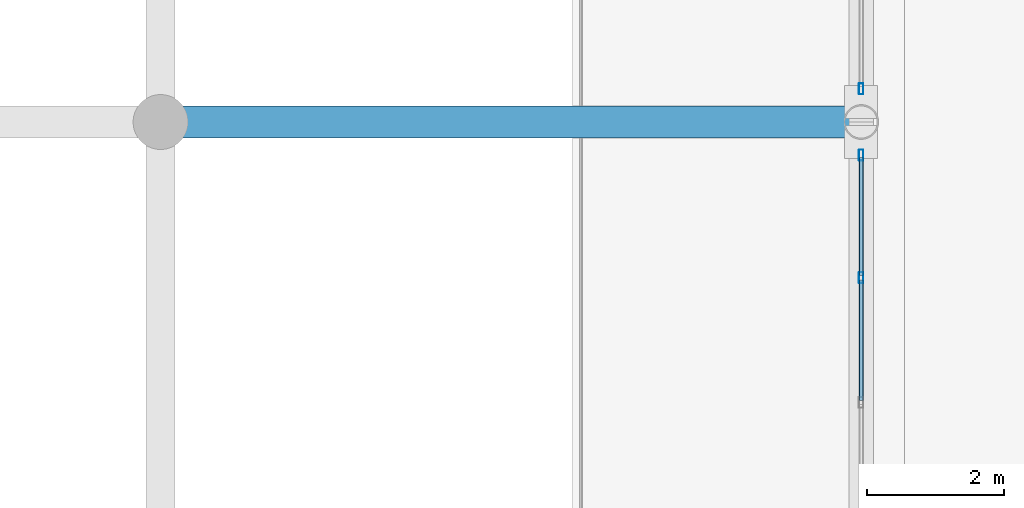
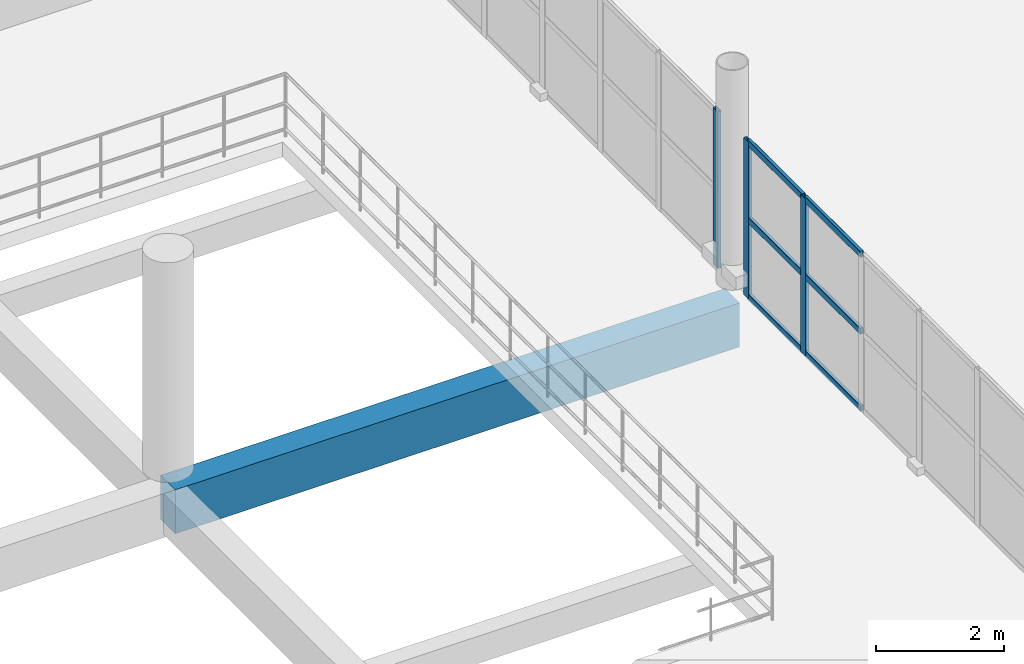
# One storey, part 62 of 157: 9 members, 1 beam, 2 elements without a shape of their own.
"""IFC4 building model written with IfcOpenShell, lengths in metres."""

from ifc_helpers import new_model, si_unit, direction, frame, origin, origin_2d, place, context, subcontext, project, spatial, rectangle, hollow_rectangle, extrude, material, material_profile, profile_set, type_object, element, aggregate, save


model = new_model("IFC4")

# Units and contexts
model_context = context("Model", 3, precision=1e-05, world=origin(), true_north=direction((0.0, 1.0)))
body_context = subcontext(model_context, "Body", "Model", "MODEL_VIEW")
ifc_project = project(units=[si_unit("LENGTHUNIT", "METRE"), si_unit("AREAUNIT", "SQUARE_METRE"), si_unit("VOLUMEUNIT", "CUBIC_METRE"), si_unit("PLANEANGLEUNIT", "RADIAN"), si_unit("MASSUNIT", "GRAM", prefix="KILO")], contexts=[model_context])

# Site, building, storey
site_placement = place(None, origin())
site = spatial("IfcSite", under=ifc_project, at=site_placement, CompositionType="ELEMENT")
building_placement = place(site_placement, origin())
building = spatial("IfcBuilding", under=site, at=building_placement, Name="Brelvane Convention Centre", CompositionType="ELEMENT")
storey_placement = place(building_placement, frame((0.0, 0.0, 10.800048828125)))
storey = spatial("IfcBuildingStorey", under=building, at=storey_placement, Name="L02", CompositionType="ELEMENT", Elevation=10.800048828125)

# Curtain wall, members
ifc_material_1 = material(Name="Anodised Aluminium Alloy 6063-T6", Category="aluminium")
curtain_wall_type = type_object("IfcCurtainWallType", Name="Curtain Wall CW-CONC", PredefinedType="USERDEFINED", material=ifc_material_1)
curtain_wall_1_placement = place(storey_placement, origin())
curtain_wall_1 = element("IfcCurtainWall", 1, at=curtain_wall_1_placement, inside=storey, type_object=curtain_wall_type, Name="Curtain Wall CW-CONC L02-GAL-ATRIUM-E-2", ObjectType="UNITISED", PredefinedType="USERDEFINED")
ifc_material_2 = material(Name="Anodised Aluminium Alloy 6063-T6", Category="aluminium")
ifc_material_profile_1 = material_profile(ifc_material_2, hollow_rectangle(XDim=0.06494140625, YDim=0.159912109375, WallThickness=0.00390625, InnerFilletRadius=0.00390625, OuterFilletRadius=0.008056640625, at=origin_2d()), Name="ALU-M 160x65x4.0")
ifc_profile_set_1 = profile_set([ifc_material_profile_1], Name="Anodised Aluminium Alloy 6063-T6")
member_type_1 = type_object("IfcMemberType", Name="Curtain Mullion CW-M3", PredefinedType="MULLION", material=ifc_profile_set_1)
member_1_placement = place(storey_placement, frame((163.199951171875, 61.933349609375, 0.0), z_axis=(0.0, 0.0, 1.0), x_axis=(-1.0, 0.0, 0.0)))
member_1 = element("IfcMember", 2, at=member_1_placement, type_object=member_type_1, Name="CW-CONC mullion 6", PredefinedType="MULLION", context=body_context, shape_type="SweptSolid", body=[
    extrude(hollow_rectangle(XDim=0.06494140625, YDim=0.159912109375, WallThickness=0.00390625, InnerFilletRadius=0.00390625, OuterFilletRadius=0.008056640625, at=origin_2d()), origin(), (0.0, 0.0, 1.0), 3.0),
])
member_2_placement = place(storey_placement, frame((163.199951171875, 63.717529296875, 0.0), z_axis=(0.0, 0.0, 1.0), x_axis=(-1.0, 0.0, 0.0)))
member_2 = element("IfcMember", 3, at=member_2_placement, type_object=member_type_1, Name="CW-CONC mullion 7", PredefinedType="MULLION", context=body_context, shape_type="SweptSolid", body=[
    extrude(hollow_rectangle(XDim=0.06494140625, YDim=0.159912109375, WallThickness=0.00390625, InnerFilletRadius=0.00390625, OuterFilletRadius=0.008056640625, at=origin_2d()), origin(), (0.0, 0.0, 1.0), 3.0),
])

# Curtain wall, member
curtain_wall_2_placement = place(storey_placement, origin())
curtain_wall_2 = element("IfcCurtainWall", 4, at=curtain_wall_2_placement, inside=storey, type_object=curtain_wall_type, Name="Curtain Wall CW-CONC L02-GAL-ATRIUM-E-3", ObjectType="UNITISED", PredefinedType="USERDEFINED")
member_3_placement = place(storey_placement, frame((163.199951171875, 64.6826171875, 0.0), z_axis=(0.0, 0.0, 1.0), x_axis=(-1.0, 0.0, 0.0)))
member_3 = element("IfcMember", 5, at=member_3_placement, type_object=member_type_1, Name="CW-CONC mullion 1", PredefinedType="MULLION", context=body_context, shape_type="SweptSolid", body=[
    extrude(hollow_rectangle(XDim=0.06494140625, YDim=0.159912109375, WallThickness=0.00390625, InnerFilletRadius=0.00390625, OuterFilletRadius=0.008056640625, at=origin_2d()), origin(), (0.0, 0.0, 1.0), 3.0),
])
aggregate(curtain_wall_2, [member_3])

# Member
ifc_material_3 = material(Name="Anodised Aluminium Alloy 6063-T6", Category="aluminium")
ifc_material_profile_2 = material_profile(ifc_material_3, hollow_rectangle(XDim=0.06005859375, YDim=0.1201171875, WallThickness=0.00390625, InnerFilletRadius=0.00390625, OuterFilletRadius=0.008056640625, at=origin_2d()), Name="ALU-T 120x60x4.0")
ifc_profile_set_2 = profile_set([ifc_material_profile_2], Name="Anodised Aluminium Alloy 6063-T6")
member_type_2 = type_object("IfcMemberType", Name="Curtain Transom CW-T3", PredefinedType="USERDEFINED", material=ifc_profile_set_2)
member_4_placement = place(storey_placement, frame((163.199951171875, 60.149169921875, 0.030029296875), z_axis=(0.0, 1.0, 0.0), x_axis=(-1.0, 0.0, 0.0)))
member_4 = element("IfcMember", 6, at=member_4_placement, type_object=member_type_2, Name="CW-CONC transom 5.1", ObjectType="TRANSOM", PredefinedType="USERDEFINED", context=body_context, shape_type="SweptSolid", body=[
    extrude(hollow_rectangle(XDim=0.06005859375, YDim=0.1201171875, WallThickness=0.00390625, InnerFilletRadius=0.00390625, OuterFilletRadius=0.008056640625, at=origin_2d()), origin(), (0.0, 0.0, 1.0), 1.751708984375),
])

member_5_placement = place(storey_placement, frame((163.199951171875, 60.149169921875, 1.5), z_axis=(0.0, 1.0, 0.0), x_axis=(-1.0, 0.0, 0.0)))
member_5 = element("IfcMember", 7, at=member_5_placement, type_object=member_type_2, Name="CW-CONC transom 5.2", ObjectType="TRANSOM", PredefinedType="USERDEFINED", context=body_context, shape_type="SweptSolid", body=[
    extrude(hollow_rectangle(XDim=0.06005859375, YDim=0.1201171875, WallThickness=0.00390625, InnerFilletRadius=0.00390625, OuterFilletRadius=0.008056640625, at=origin_2d()), origin(), (0.0, 0.0, 1.0), 1.751708984375),
])

member_6_placement = place(storey_placement, frame((163.199951171875, 60.149169921875, 2.969970703125), z_axis=(0.0, 1.0, 0.0), x_axis=(-1.0, 0.0, 0.0)))
member_6 = element("IfcMember", 8, at=member_6_placement, type_object=member_type_2, Name="CW-CONC transom 5.3", ObjectType="TRANSOM", PredefinedType="USERDEFINED", context=body_context, shape_type="SweptSolid", body=[
    extrude(hollow_rectangle(XDim=0.06005859375, YDim=0.1201171875, WallThickness=0.00390625, InnerFilletRadius=0.00390625, OuterFilletRadius=0.008056640625, at=origin_2d()), origin(), (0.0, 0.0, 1.0), 1.751708984375),
])

member_7_placement = place(storey_placement, frame((163.199951171875, 61.9658203125, 0.030029296875), z_axis=(0.0, 1.0, 0.0), x_axis=(-1.0, 0.0, 0.0)))
member_7 = element("IfcMember", 9, at=member_7_placement, type_object=member_type_2, Name="CW-CONC transom 6.1", ObjectType="TRANSOM", PredefinedType="USERDEFINED", context=body_context, shape_type="SweptSolid", body=[
    extrude(hollow_rectangle(XDim=0.06005859375, YDim=0.1201171875, WallThickness=0.00390625, InnerFilletRadius=0.00390625, OuterFilletRadius=0.008056640625, at=origin_2d()), origin(), (0.0, 0.0, 1.0), 1.71923828125),
])

member_8_placement = place(storey_placement, frame((163.199951171875, 61.9658203125, 1.5), z_axis=(0.0, 1.0, 0.0), x_axis=(-1.0, 0.0, 0.0)))
member_8 = element("IfcMember", 10, at=member_8_placement, type_object=member_type_2, Name="CW-CONC transom 6.2", ObjectType="TRANSOM", PredefinedType="USERDEFINED", context=body_context, shape_type="SweptSolid", body=[
    extrude(hollow_rectangle(XDim=0.06005859375, YDim=0.1201171875, WallThickness=0.00390625, InnerFilletRadius=0.00390625, OuterFilletRadius=0.008056640625, at=origin_2d()), origin(), (0.0, 0.0, 1.0), 1.71923828125),
])

member_9_placement = place(storey_placement, frame((163.199951171875, 61.9658203125, 2.969970703125), z_axis=(0.0, 1.0, 0.0), x_axis=(-1.0, 0.0, 0.0)))
member_9 = element("IfcMember", 11, at=member_9_placement, type_object=member_type_2, Name="CW-CONC transom 6.3", ObjectType="TRANSOM", PredefinedType="USERDEFINED", context=body_context, shape_type="SweptSolid", body=[
    extrude(hollow_rectangle(XDim=0.06005859375, YDim=0.1201171875, WallThickness=0.00390625, InnerFilletRadius=0.00390625, OuterFilletRadius=0.008056640625, at=origin_2d()), origin(), (0.0, 0.0, 1.0), 1.71923828125),
])

aggregate(curtain_wall_1, [member_1, member_2, member_4, member_5, member_6, member_7, member_8, member_9])

# Beam
ifc_material_4 = material(Name="Concrete M40", Category="concrete")
ifc_material_profile_3 = material_profile(ifc_material_4, rectangle(XDim=0.4599609375, YDim=0.840087890625, at=origin_2d()), Name="RC 460x840")
ifc_profile_set_3 = profile_set([ifc_material_profile_3], Name="Concrete M40")
beam_type = type_object("IfcBeamType", Name="RC Beam B-RC11 (RC 460x840)", PredefinedType="BEAM", material=ifc_profile_set_3)
beam_placement = place(storey_placement, frame((153.0, 64.199951171875, -0.699951171875), z_axis=(1.0, 0.0, 0.0), x_axis=(0.0, 1.0, 0.0)))
element("IfcBeam", 12, at=beam_placement, inside=storey, type_object=beam_type, Name="L02 Beam 16-17/G", PredefinedType="BEAM", context=body_context, shape_type="SweptSolid", body=[
    extrude(rectangle(XDim=0.4599609375, YDim=0.840087890625, at=origin_2d()), origin(), (0.0, 0.0, 1.0), 10.199951171875),
])

save(model, "model.ifc")
